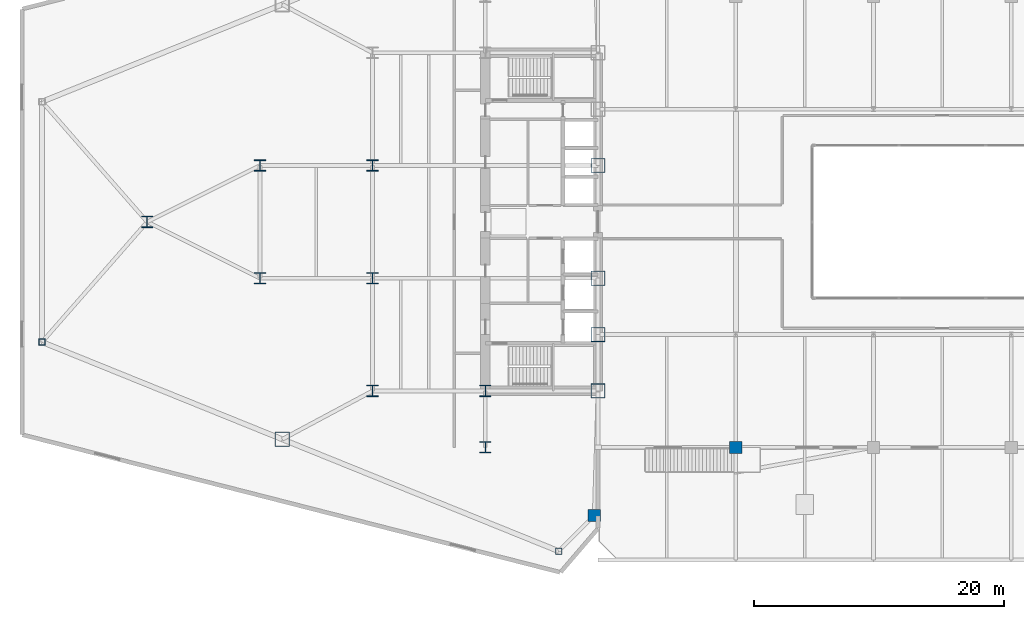
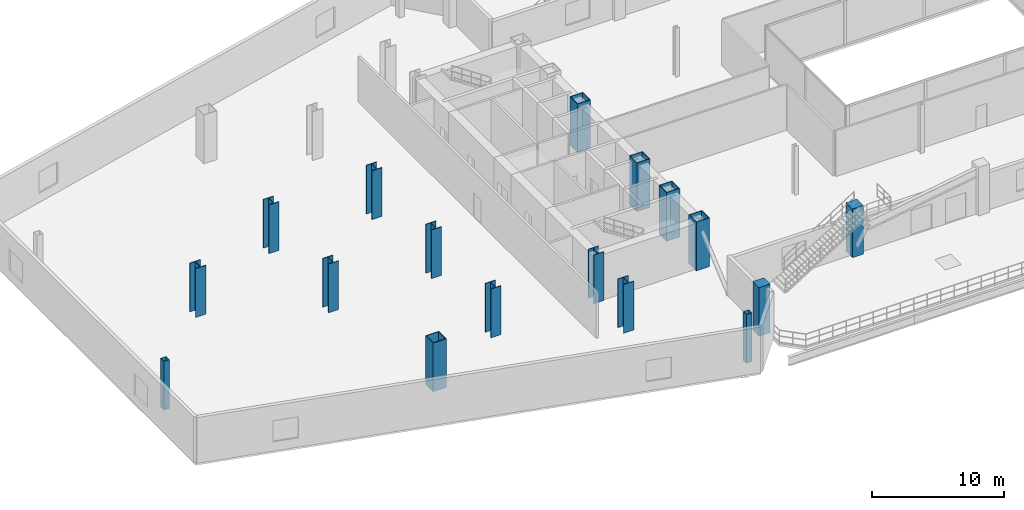
# One storey, part 1 of 27: 17 columns.
"""IFC4 building model written with IfcOpenShell, lengths in metres."""

from ifc_helpers import new_model, si_unit, direction, frame, origin, origin_2d, place, context, subcontext, project, spatial, rectangle, hollow_rectangle, i_section, extrude, source, transform, mapped, material, material_profile, profile_set, type_object, type_shapes, element, save


model = new_model("IFC4")

# Units and contexts
model_context = context("Model", 3, precision=1e-05, world=origin(), true_north=direction((0.0, 1.0)))
body_context = subcontext(model_context, "Body", "Model", "MODEL_VIEW")
ifc_project = project(units=[si_unit("LENGTHUNIT", "METRE"), si_unit("AREAUNIT", "SQUARE_METRE"), si_unit("VOLUMEUNIT", "CUBIC_METRE"), si_unit("PLANEANGLEUNIT", "RADIAN"), si_unit("MASSUNIT", "GRAM", prefix="KILO")], contexts=[model_context])

# Site, building, storey
site_placement = place(None, origin())
site = spatial("IfcSite", under=ifc_project, at=site_placement, CompositionType="ELEMENT")
building_placement = place(site_placement, origin())
building = spatial("IfcBuilding", under=site, at=building_placement, Name="Seokmaru Belvedere", CompositionType="ELEMENT")
storey_placement = place(building_placement, frame((0.0, 0.0, 9.89990234375)))
storey = spatial("IfcBuildingStorey", under=building, at=storey_placement, Name="L02", CompositionType="ELEMENT", Elevation=9.89990234375)

# Columns
ifc_material_1 = material(Name="Steel HSA650 (650 MPa)", Category="steel")
ifc_material_profile_1 = material_profile(ifc_material_1, hollow_rectangle(XDim=1.14990234375, YDim=1.14990234375, WallThickness=0.048095703125, at=origin_2d()), Name="BOX-1150x1150x48")
ifc_profile_set_1 = profile_set([ifc_material_profile_1], Name="Steel HSA650 (650 MPa)")
column_type_1 = type_object("IfcColumnType", Name="Portal Spine Column BOX-1150", PredefinedType="COLUMN", material=ifc_profile_set_1)
shared_shape_1 = source(origin(), body_context, "Body", "SweptSolid", [
    extrude(hollow_rectangle(XDim=1.14990234375, YDim=1.14990234375, WallThickness=0.048095703125, at=origin_2d()), origin(), (0.0, 0.0, 1.0), 4.5),
])
type_shapes(column_type_1, [shared_shape_1])
for number, where, z_axis, x_axis, name in (
    (1, (-27.5, -13.5, 0.0), (0.0, 0.0, 1.0), (1.0, 0.0, 0.0), "L02 Column WS1"),
    (2, (-27.5, -9.0, 0.0), (0.0, 0.0, 1.0), (1.0, 0.0, 0.0), "L02 Column WS2"),
    (3, (-27.5, -4.5, 0.0), (0.0, 0.0, 1.0), (1.0, 0.0, 0.0), "L02 Column WS3"),
    (4, (-27.5, 4.5, 0.0), (0.0, 0.0, 1.0), (1.0, 0.0, 0.0), "L02 Column WS4"),
    (5, (-52.715576171875, -17.360595703125, 0.0), (0.0, 0.0, 1.0), (1.0, 0.0, 0.0), "L02 Column WFLK_S2"),
):
    element("IfcColumn", number, at=place(storey_placement, frame(where, z_axis=z_axis, x_axis=x_axis)), inside=storey, type_object=column_type_1, Name=name, PredefinedType="COLUMN", context=body_context, shape_type="MappedRepresentation", body=[
        mapped(shared_shape_1, transform((0.0, 0.0, 0.0), scale=1.0)),
    ])
ifc_material_profile_2 = material_profile(ifc_material_1, i_section(OverallWidth=0.89990234375, OverallDepth=0.89990234375, WebThickness=0.035888671875, FlangeThickness=0.054931640625, at=origin_2d()), Name="H-900x900x36x55")
ifc_profile_set_2 = profile_set([ifc_material_profile_2], Name="Steel HSA650 (650 MPa)")
column_type_2 = type_object("IfcColumnType", Name="Lower Interior Column H-900", PredefinedType="COLUMN", material=ifc_profile_set_2)
shared_shape_2 = source(origin(), body_context, "Body", "SweptSolid", [
    extrude(i_section(OverallWidth=0.89990234375, OverallDepth=0.89990234375, WebThickness=0.035888671875, FlangeThickness=0.054931640625, at=origin_2d()), origin(), (0.0, 0.0, 1.0), 4.5),
])
type_shapes(column_type_2, [shared_shape_2])
for number, where, z_axis, x_axis, name in (
    (6, (-36.5, -18.0, 0.0), (0.0, 0.0, 1.0), (1.0, 0.0, 0.0), "L02 Column WC1"),
    (7, (-36.5, -13.5, 0.0), (0.0, 0.0, 1.0), (1.0, 0.0, 0.0), "L02 Column WC2"),
    (8, (-45.5, -13.5, 0.0), (0.0, 0.0, 1.0), (1.0, 0.0, 0.0), "L02 Column WG5_1"),
    (9, (-45.5, -4.5, 0.0), (0.0, 0.0, 1.0), (1.0, 0.0, 0.0), "L02 Column WG5_2"),
    (10, (-45.5, 4.5, 0.0), (0.0, 0.0, 1.0), (1.0, 0.0, 0.0), "L02 Column WG5_3"),
    (11, (-54.5, -4.5, 0.0), (0.0, 0.0, 1.0), (1.0, 0.0, 0.0), "L02 Column WG4P_1"),
    (12, (-54.5, 4.5, 0.0), (0.0, 0.0, 1.0), (1.0, 0.0, 0.0), "L02 Column WG4P_2"),
    (13, (-63.5, 0.0, 0.0), (0.0, 0.0, 1.0), (1.0, 0.0, 0.0), "L02 Column WG3P_1"),
):
    element("IfcColumn", number, at=place(storey_placement, frame(where, z_axis=z_axis, x_axis=x_axis)), inside=storey, type_object=column_type_2, Name=name, PredefinedType="COLUMN", context=body_context, shape_type="MappedRepresentation", body=[
        mapped(shared_shape_2, transform((0.0, 0.0, 0.0), scale=1.0)),
    ])
ifc_material_2 = material(Name="Steel SM355 (355 MPa)", Category="steel")
ifc_material_profile_3 = material_profile(ifc_material_2, hollow_rectangle(XDim=0.5, YDim=0.5, WallThickness=0.02001953125, at=origin_2d()), Name="HSS-500x500x20")
ifc_profile_set_3 = profile_set([ifc_material_profile_3], Name="Steel SM355 (355 MPa)")
column_type_3 = type_object("IfcColumnType", Name="Perimeter Facet Column HSS-500", PredefinedType="COLUMN", material=ifc_profile_set_3)
shared_shape_3 = source(origin(), body_context, "Body", "SweptSolid", [
    extrude(hollow_rectangle(XDim=0.5, YDim=0.5, WallThickness=0.02001953125, at=origin_2d()), origin(), (0.0, 0.0, 1.0), 4.5),
])
type_shapes(column_type_3, [shared_shape_3])
for number, where, z_axis, x_axis, name in (
    (14, (-71.89990234375, -9.595703125, 0.0), (0.0, 0.0, 1.0), (1.0, 0.0, 0.0), "L02 Column WF5"),
    (15, (-30.643310546875, -26.294677734375, 0.0), (0.0, 0.0, 1.0), (1.0, 0.0, 0.0), "L02 Column WF6"),
):
    element("IfcColumn", number, at=place(storey_placement, frame(where, z_axis=z_axis, x_axis=x_axis)), inside=storey, type_object=column_type_3, Name=name, PredefinedType="COLUMN", context=body_context, shape_type="MappedRepresentation", body=[
        mapped(shared_shape_3, transform((0.0, 0.0, 0.0), scale=1.0)),
    ])
ifc_material_3 = material(Name="Concrete C50 (50 MPa)", Category="concrete")
ifc_material_profile_4 = material_profile(ifc_material_3, rectangle(XDim=0.9599609375, YDim=0.9599609375, at=origin_2d()), Name="RC-960x960")
ifc_profile_set_4 = profile_set([ifc_material_profile_4], Name="Concrete C50 (50 MPa)")
column_type_4 = type_object("IfcColumnType", Name="Upper Podium Terrace Column RC-960", PredefinedType="COLUMN", material=ifc_profile_set_4)
shared_shape_4 = source(origin(), body_context, "Body", "SweptSolid", [
    extrude(rectangle(XDim=0.9599609375, YDim=0.9599609375, at=origin_2d()), origin(), (0.0, 0.0, 1.0), 4.5),
])
type_shapes(column_type_4, [shared_shape_4])
for number, where, z_axis, x_axis, name in (
    (16, (-27.800048828125, -23.451416015625, 0.0), (0.0, 0.0, 1.0), (1.0, 0.0, 0.0), "L02 Column WPM_S"),
    (17, (-16.5, -18.0, 0.0), (0.0, 0.0, 1.0), (1.0, 0.0, 0.0), "L02 Column CP1_2"),
):
    element("IfcColumn", number, at=place(storey_placement, frame(where, z_axis=z_axis, x_axis=x_axis)), inside=storey, type_object=column_type_4, Name=name, PredefinedType="COLUMN", context=body_context, shape_type="MappedRepresentation", body=[
        mapped(shared_shape_4, transform((0.0, 0.0, 0.0), scale=1.0)),
    ])

save(model, "model.ifc")
